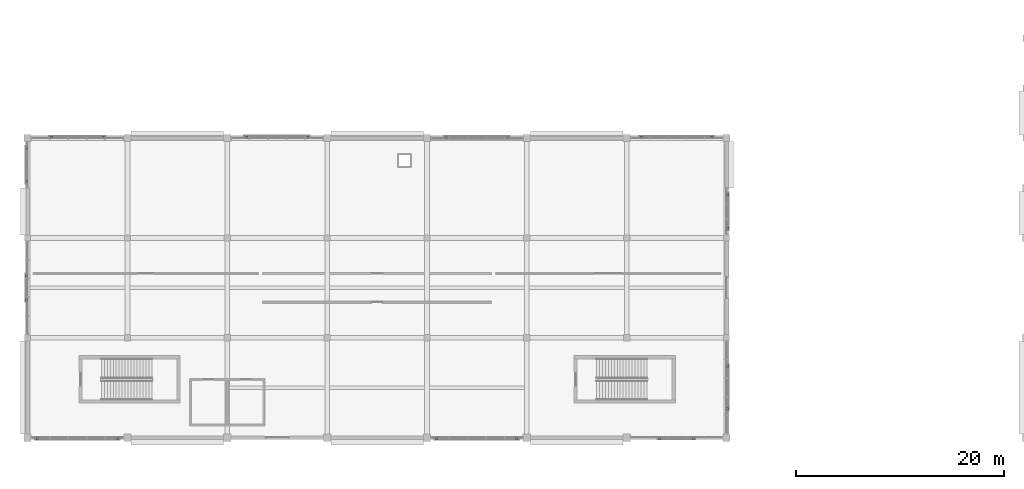
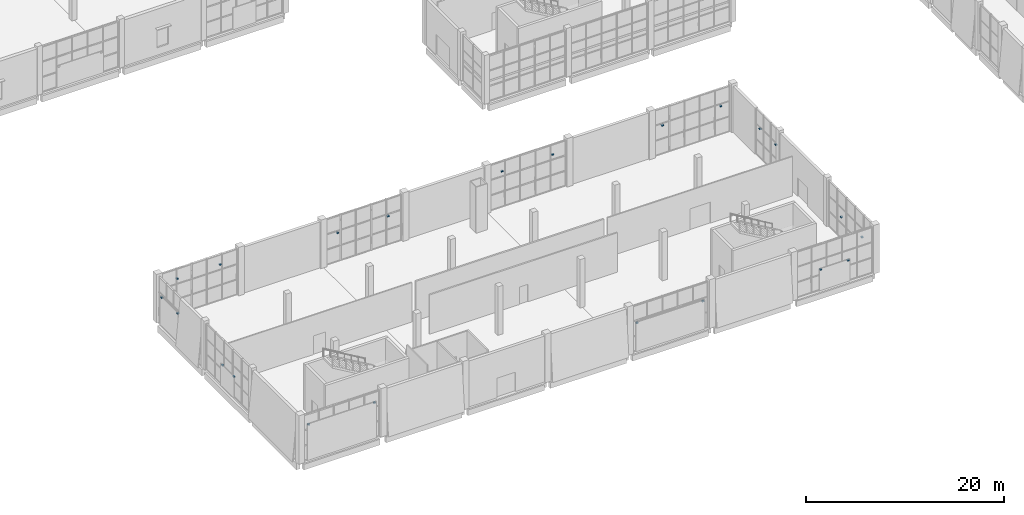
# One storey, part 64 of 84: 22 discrete accessories.
"""IFC4 building model written with IfcOpenShell, lengths in metres."""

from ifc_helpers import new_model, si_unit, direction, frame, origin, origin_2d, place, context, subcontext, project, spatial, rectangle, extrude, material, type_object, element, save


model = new_model("IFC4")

# Units and contexts
model_context = context("Model", 3, precision=1e-05, world=origin(), true_north=direction((0.0, 1.0)))
body_context = subcontext(model_context, "Body", "Model", "MODEL_VIEW")
ifc_project = project(units=[si_unit("LENGTHUNIT", "METRE"), si_unit("AREAUNIT", "SQUARE_METRE"), si_unit("VOLUMEUNIT", "CUBIC_METRE"), si_unit("PLANEANGLEUNIT", "RADIAN"), si_unit("MASSUNIT", "GRAM", prefix="KILO")], contexts=[model_context])

# Site, building, storey
site_placement = place(None, origin())
site = spatial("IfcSite", under=ifc_project, at=site_placement, CompositionType="ELEMENT")
building_placement = place(site_placement, origin())
building = spatial("IfcBuilding", under=site, at=building_placement, Name="Shalvenor Court Art Gallery", CompositionType="ELEMENT")
storey_placement = place(building_placement, origin())
storey = spatial("IfcBuildingStorey", under=building, at=storey_placement, Name="L00", CompositionType="ELEMENT", Elevation=0.0)

# Discrete accessories
ifc_material = material(Name="Stainless steel anchor bracket", Category="steel")
discrete_accessory_type = type_object("IfcDiscreteAccessoryType", Name="BRK-01", PredefinedType="BRACKET", material=ifc_material)
for number, where, z_axis, x_axis, name in (
    (1, (2.300048828125, 28.87158203125, 4.27001953125), (0.0, 0.0, 1.0), (1.0, 0.0, 0.0), "L00 Lattice Anchor Bracket 203"),
    (2, (7.300048828125, 28.87158203125, 4.27001953125), (0.0, 0.0, 1.0), (1.0, 0.0, 0.0), "L00 Lattice Anchor Bracket 204"),
    (3, (21.050048828125, 28.87646484375, 3.3701171875), (0.0, 0.0, 1.0), (1.0, 0.0, 0.0), "L00 Lattice Anchor Bracket 205"),
    (4, (26.949951171875, 28.87646484375, 3.3701171875), (0.0, 0.0, 1.0), (1.0, 0.0, 0.0), "L00 Lattice Anchor Bracket 206"),
    (5, (40.25, 28.8564453125, 4.27001953125), (0.0, 0.0, 1.0), (1.0, 0.0, 0.0), "L00 Lattice Anchor Bracket 207"),
    (6, (46.14990234375, 28.8564453125, 4.27001953125), (0.0, 0.0, 1.0), (1.0, 0.0, 0.0), "L00 Lattice Anchor Bracket 208"),
    (7, (59.0, 28.866455078125, 3.3701171875), (0.0, 0.0, 1.0), (1.0, 0.0, 0.0), "L00 Lattice Anchor Bracket 209"),
    (8, (65.800048828125, 28.866455078125, 3.3701171875), (0.0, 0.0, 1.0), (1.0, 0.0, 0.0), "L00 Lattice Anchor Bracket 210"),
    (9, (67.271484375, 23.35009765625, 3.3701171875), (0.0, 0.0, 1.0), (0.0, -1.0, 0.0), "L00 Lattice Anchor Bracket 211"),
    (10, (67.271484375, 20.14990234375, 3.3701171875), (0.0, 0.0, 1.0), (0.0, -1.0, 0.0), "L00 Lattice Anchor Bracket 212"),
    (11, (67.276611328125, 6.875, 2.47021484375), (0.0, 0.0, 1.0), (0.0, -1.0, 0.0), "L00 Lattice Anchor Bracket 213"),
    (12, (67.276611328125, 2.77490234375, 2.47021484375), (0.0, 0.0, 1.0), (0.0, -1.0, 0.0), "L00 Lattice Anchor Bracket 214"),
    (13, (64.0, -0.056396484375, 2.47021484375), (0.0, 0.0, 1.0), (-1.0, 0.0, 0.0), "L00 Lattice Anchor Bracket 215"),
    (14, (60.800048828125, -0.056396484375, 2.47021484375), (0.0, 0.0, 1.0), (-1.0, 0.0, 0.0), "L00 Lattice Anchor Bracket 216"),
    (15, (47.050048828125, -0.06787109375, 3.3701171875), (0.0, 0.0, 1.0), (-1.0, 0.0, 0.0), "L00 Lattice Anchor Bracket 217"),
    (16, (39.35009765625, -0.06787109375, 3.3701171875), (0.0, 0.0, 1.0), (-1.0, 0.0, 0.0), "L00 Lattice Anchor Bracket 218"),
    (17, (8.64990234375, -0.07275390625, 4.27001953125), (0.0, 0.0, 1.0), (-1.0, 0.0, 0.0), "L00 Lattice Anchor Bracket 219"),
    (18, (0.949951171875, -0.07275390625, 4.27001953125), (0.0, 0.0, 1.0), (-1.0, 0.0, 0.0), "L00 Lattice Anchor Bracket 220"),
    (19, (-0.0751953125, 13.25, 2.47021484375), (0.0, 0.0, 1.0), (0.0, 1.0, 0.0), "L00 Lattice Anchor Bracket 221"),
    (20, (-0.0751953125, 15.550048828125, 2.47021484375), (0.0, 0.0, 1.0), (0.0, 1.0, 0.0), "L00 Lattice Anchor Bracket 222"),
    (21, (-0.056396484375, 24.625, 3.3701171875), (0.0, 0.0, 1.0), (0.0, 1.0, 0.0), "L00 Lattice Anchor Bracket 223"),
    (22, (-0.056396484375, 27.824951171875, 3.3701171875), (0.0, 0.0, 1.0), (0.0, 1.0, 0.0), "L00 Lattice Anchor Bracket 224"),
):
    element("IfcDiscreteAccessory", number, at=place(storey_placement, frame(where, z_axis=z_axis, x_axis=x_axis)), inside=storey, type_object=discrete_accessory_type, Name=name, PredefinedType="BRACKET", context=body_context, shape_type="SweptSolid", body=[
        extrude(rectangle(XDim=0.239990234375, YDim=0.219970703125, at=origin_2d()), origin(), (0.0, 0.0, 1.0), 0.159912109375),
    ])

save(model, "model.ifc")
